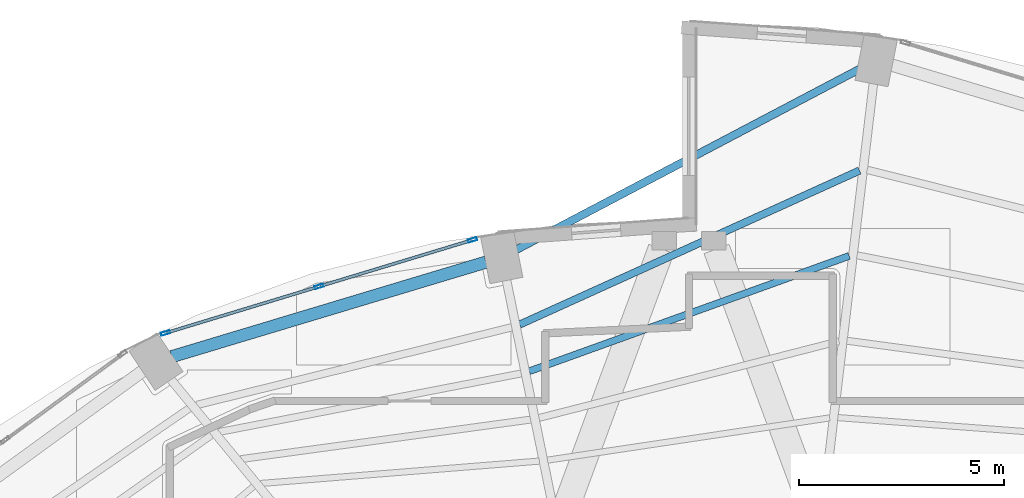
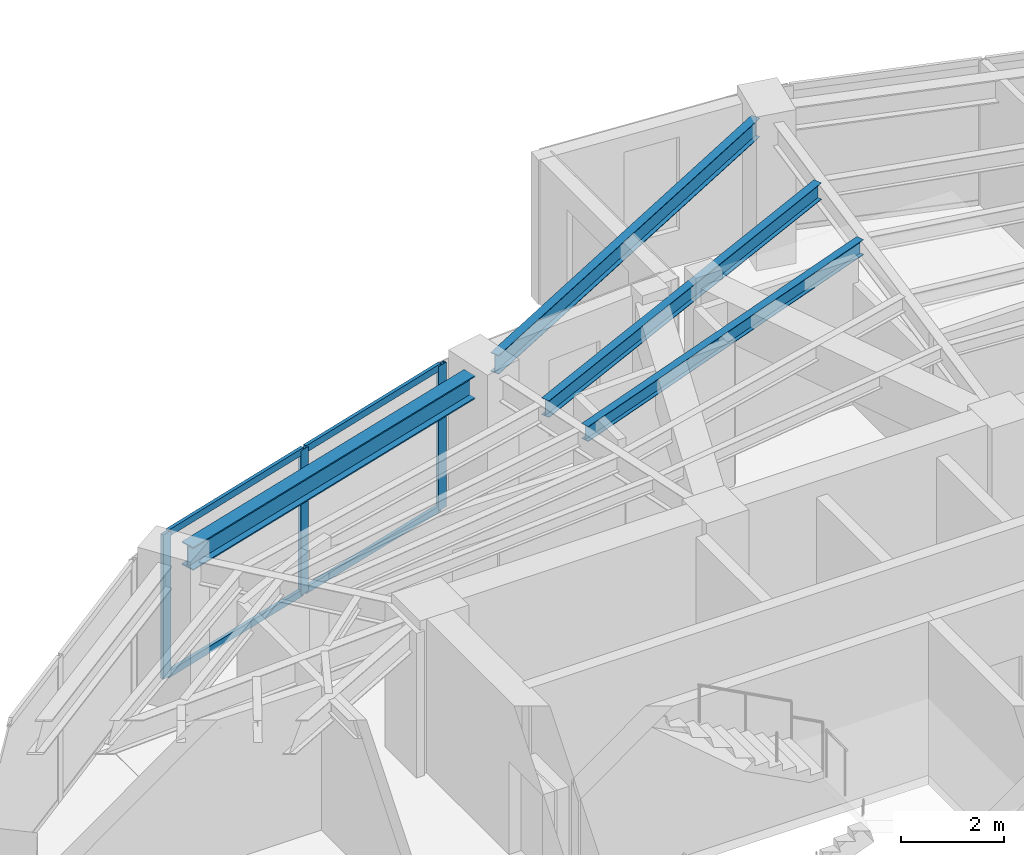
# One storey, part 12 of 20: 7 members, 4 beams, 1 element without a shape of its own.
"""IFC4 building model written with IfcOpenShell, lengths in metres."""

from ifc_helpers import new_model, si_unit, direction, frame, origin, origin_2d, place, context, subcontext, project, spatial, hollow_rectangle, i_section, extrude, material, layer, layer_set, material_profile, profile_set, type_object, element, aggregate, save


model = new_model("IFC4")

# Units and contexts
model_context = context("Model", 3, precision=1e-05, world=origin(), true_north=direction((0.0, 1.0)))
body_context = subcontext(model_context, "Body", "Model", "MODEL_VIEW")
ifc_project = project(units=[si_unit("LENGTHUNIT", "METRE"), si_unit("AREAUNIT", "SQUARE_METRE"), si_unit("VOLUMEUNIT", "CUBIC_METRE"), si_unit("PLANEANGLEUNIT", "RADIAN"), si_unit("MASSUNIT", "GRAM", prefix="KILO")], contexts=[model_context])

# Site, building, storey
site_placement = place(None, origin())
site = spatial("IfcSite", under=ifc_project, at=site_placement, CompositionType="ELEMENT")
building_placement = place(site_placement, origin())
building = spatial("IfcBuilding", under=site, at=building_placement, Name="Lazwardi Medical Tower", CompositionType="ELEMENT")
storey_placement = place(building_placement, frame((0.0, 0.0, 149.23193359375)))
storey = spatial("IfcBuildingStorey", under=building, at=storey_placement, Name="L38", CompositionType="ELEMENT", Elevation=149.23193359375)

# Beams
ifc_material_1 = material(Name="Steel S355", Category="steel")
ifc_material_profile_1 = material_profile(ifc_material_1, i_section(OverallWidth=0.300048828125, OverallDepth=0.550048828125, WebThickness=0.014892578125, FlangeThickness=0.029052734375, at=origin_2d()), Name="HEB 550")
ifc_profile_set_1 = profile_set([ifc_material_profile_1], Name="Steel S355")
beam_type_1 = type_object("IfcBeamType", Name="BM-RB-Z3", PredefinedType="BEAM", material=ifc_profile_set_1)
beam_1_placement = place(storey_placement, frame((31.056884765625, 42.133544921875, 3.153076171875), z_axis=(-0.957616873483, -0.288045002771, 0.0), x_axis=(0.288045002771, -0.957616873483, 0.0)))
element("IfcBeam", 1, at=beam_1_placement, inside=storey, type_object=beam_type_1, Name="Ring beam RB-04 B09 L38", PredefinedType="BEAM", context=body_context, shape_type="SweptSolid", body=[
    extrude(i_section(OverallWidth=0.300048828125, OverallDepth=0.550048828125, WebThickness=0.014892578125, FlangeThickness=0.029052734375, at=origin_2d()), origin(), (0.0, 0.0, 1.0), 7.99951171875),
])
ifc_material_profile_2 = material_profile(ifc_material_1, i_section(OverallWidth=0.179931640625, OverallDepth=0.39990234375, WebThickness=0.008544921875, FlangeThickness=0.013427734375, at=origin_2d()), Name="IPE 400")
ifc_profile_set_2 = profile_set([ifc_material_profile_2], Name="Steel S355")
beam_type_2 = type_object("IfcBeamType", Name="BM-SJ-01", PredefinedType="JOIST", material=ifc_profile_set_2)
beam_2_placement = place(storey_placement, frame((40.155029296875, 44.3642578125, 3.22802734375), z_axis=(-0.910834000674, -0.412772846995, 0.0), x_axis=(0.412772846995, -0.910834000674, 0.0)))
element("IfcBeam", 2, at=beam_2_placement, inside=storey, type_object=beam_type_2, Name="Secondary joist SJ-01 R1 B08 L38", PredefinedType="JOIST", context=body_context, shape_type="SweptSolid", body=[
    extrude(i_section(OverallWidth=0.179931640625, OverallDepth=0.39990234375, WebThickness=0.008544921875, FlangeThickness=0.013427734375, at=origin_2d()), origin(), (0.0, 0.0, 1.0), 9.09130859375),
])
ifc_material_profile_3 = material_profile(ifc_material_1, i_section(OverallWidth=0.169921875, OverallDepth=0.360107421875, WebThickness=0.008056640625, FlangeThickness=0.0126953125, at=origin_2d()), Name="IPE 360")
ifc_profile_set_3 = profile_set([ifc_material_profile_3], Name="Steel S355")
beam_type_3 = type_object("IfcBeamType", Name="BM-SJ-02", PredefinedType="JOIST", material=ifc_profile_set_3)
beam_3_placement = place(storey_placement, frame((39.904052734375, 42.284423828125, 3.248046875), z_axis=(-0.940747993319, -0.339106492221, 0.0), x_axis=(0.339106492221, -0.940747993319, 0.0)))
element("IfcBeam", 3, at=beam_3_placement, inside=storey, type_object=beam_type_3, Name="Secondary joist SJ-02 R2 B08 L38", PredefinedType="JOIST", context=body_context, shape_type="SweptSolid", body=[
    extrude(i_section(OverallWidth=0.169921875, OverallDepth=0.360107421875, WebThickness=0.008056640625, FlangeThickness=0.0126953125, at=origin_2d()), origin(), (0.0, 0.0, 1.0), 8.28662109375),
])
ifc_material_profile_4 = material_profile(ifc_material_1, i_section(OverallWidth=0.18994140625, OverallDepth=0.449951171875, WebThickness=0.009521484375, FlangeThickness=0.0146484375, at=origin_2d()), Name="IPE 450")
ifc_profile_set_4 = profile_set([ifc_material_profile_4], Name="Steel S355")
beam_type_4 = type_object("IfcBeamType", Name="BM-SP-01", PredefinedType="SPANDREL", material=ifc_profile_set_4)
beam_4_placement = place(storey_placement, frame((40.206298828125, 46.862548828125, 3.203125), z_axis=(-0.884926578414, -0.465730556026, 0.0), x_axis=(0.465730556026, -0.884926578414, 0.0)))
element("IfcBeam", 4, at=beam_4_placement, inside=storey, type_object=beam_type_4, Name="Spandrel beam SP-01 B08 L38", PredefinedType="SPANDREL", context=body_context, shape_type="SweptSolid", body=[
    extrude(i_section(OverallWidth=0.18994140625, OverallDepth=0.449951171875, WebThickness=0.009521484375, FlangeThickness=0.0146484375, at=origin_2d()), origin(), (0.0, 0.0, 1.0), 9.506591796875),
])

# Curtain wall, members
ifc_material_2 = material(Name="Anodised bronze aluminium and solar control glazing", Category="aluminium")
ifc_layer = layer(ifc_material_2, 0.195068359375)
ifc_layer_set = layer_set([ifc_layer], Name="Anodised bronze aluminium and solar control glazing")
curtain_wall_type = type_object("IfcCurtainWallType", Name="CW-SYS-03", PredefinedType="NOTDEFINED", material=ifc_layer_set)
curtain_wall_placement = place(storey_placement, origin())
curtain_wall = element("IfcCurtainWall", 5, at=curtain_wall_placement, inside=storey, type_object=curtain_wall_type, Name="L38 Unitised bronze curtain wall CW-03", PredefinedType="NOTDEFINED")
ifc_material_3 = material(Name="Anodised bronze aluminium", Category="aluminium")
ifc_material_profile_5 = material_profile(ifc_material_3, hollow_rectangle(XDim=0.074951171875, YDim=0.219970703125, WallThickness=0.00390625, at=origin_2d()), Name="ALU-MULLION 220x75x4")
ifc_profile_set_5 = profile_set([ifc_material_profile_5], Name="Anodised bronze aluminium")
member_type_1 = type_object("IfcMemberType", Name="CW-MUL-01", PredefinedType="MULLION", material=ifc_profile_set_5)
member_1_placement = place(storey_placement, frame((30.72802734375, 42.674072265625, 0.0), z_axis=(0.0, 0.0, 1.0), x_axis=(0.290280785441, -0.956941516292, 0.0)))
member_1 = element("IfcMember", 6, at=member_1_placement, type_object=member_type_1, Name="CW-03 mullion 1", PredefinedType="MULLION", context=body_context, shape_type="SweptSolid", body=[
    extrude(hollow_rectangle(XDim=0.074951171875, YDim=0.219970703125, WallThickness=0.00390625, at=origin_2d()), origin(), (0.0, 0.0, 1.0), 3.427978515625),
])
member_2_placement = place(storey_placement, frame((26.98486328125, 41.538818359375, 0.0), z_axis=(0.0, 0.0, 1.0), x_axis=(0.290280785441, -0.956941516292, 0.0)))
member_2 = element("IfcMember", 7, at=member_2_placement, type_object=member_type_1, Name="CW-03 mullion 2", PredefinedType="MULLION", context=body_context, shape_type="SweptSolid", body=[
    extrude(hollow_rectangle(XDim=0.074951171875, YDim=0.219970703125, WallThickness=0.00390625, at=origin_2d()), origin(), (0.0, 0.0, 1.0), 3.427978515625),
])
member_3_placement = place(storey_placement, frame((23.241943359375, 40.4033203125, 0.0), z_axis=(0.0, 0.0, 1.0), x_axis=(0.290280785441, -0.956941516292, 0.0)))
member_3 = element("IfcMember", 8, at=member_3_placement, type_object=member_type_1, Name="CW-03 mullion 3", PredefinedType="MULLION", context=body_context, shape_type="SweptSolid", body=[
    extrude(hollow_rectangle(XDim=0.074951171875, YDim=0.219970703125, WallThickness=0.00390625, at=origin_2d()), origin(), (0.0, 0.0, 1.0), 3.427978515625),
])
ifc_material_profile_6 = material_profile(ifc_material_3, hollow_rectangle(XDim=0.074951171875, YDim=0.159912109375, WallThickness=0.00390625, at=origin_2d()), Name="ALU-TRANSOM 160x75x4")
ifc_profile_set_6 = profile_set([ifc_material_profile_6], Name="Anodised bronze aluminium")
member_type_2 = type_object("IfcMemberType", Name="CW-TRN-01", PredefinedType="USERDEFINED", material=ifc_profile_set_6)
member_4_placement = place(storey_placement, frame((30.692138671875, 42.663330078125, 0.03759765625), z_axis=(-0.956935517424, -0.290300560612, 0.0), x_axis=(0.290300560612, -0.956935517424, 0.0)))
member_4 = element("IfcMember", 9, at=member_4_placement, type_object=member_type_2, Name="CW-03 transom 1.1", ObjectType="TRANSOM", PredefinedType="USERDEFINED", context=body_context, shape_type="SweptSolid", body=[
    extrude(hollow_rectangle(XDim=0.074951171875, YDim=0.159912109375, WallThickness=0.00390625, at=origin_2d()), origin(), (0.0, 0.0, 1.0), 3.836669921875),
])
member_5_placement = place(storey_placement, frame((30.692138671875, 42.663330078125, 3.390625), z_axis=(-0.956935517424, -0.290300560612, 0.0), x_axis=(0.290300560612, -0.956935517424, 0.0)))
member_5 = element("IfcMember", 10, at=member_5_placement, type_object=member_type_2, Name="CW-03 transom 1.2", ObjectType="TRANSOM", PredefinedType="USERDEFINED", context=body_context, shape_type="SweptSolid", body=[
    extrude(hollow_rectangle(XDim=0.074951171875, YDim=0.159912109375, WallThickness=0.00390625, at=origin_2d()), origin(), (0.0, 0.0, 1.0), 3.836669921875),
])
member_6_placement = place(storey_placement, frame((26.948974609375, 41.52783203125, 0.03759765625), z_axis=(-0.956930154175, -0.290318239233, 0.0), x_axis=(0.290318239233, -0.956930154175, 0.0)))
member_6 = element("IfcMember", 11, at=member_6_placement, type_object=member_type_2, Name="CW-03 transom 2.1", ObjectType="TRANSOM", PredefinedType="USERDEFINED", context=body_context, shape_type="SweptSolid", body=[
    extrude(hollow_rectangle(XDim=0.074951171875, YDim=0.159912109375, WallThickness=0.00390625, at=origin_2d()), origin(), (0.0, 0.0, 1.0), 3.83642578125),
])
member_7_placement = place(storey_placement, frame((26.948974609375, 41.52783203125, 3.390625), z_axis=(-0.956930154175, -0.290318239233, 0.0), x_axis=(0.290318239233, -0.956930154175, 0.0)))
member_7 = element("IfcMember", 12, at=member_7_placement, type_object=member_type_2, Name="CW-03 transom 2.2", ObjectType="TRANSOM", PredefinedType="USERDEFINED", context=body_context, shape_type="SweptSolid", body=[
    extrude(hollow_rectangle(XDim=0.074951171875, YDim=0.159912109375, WallThickness=0.00390625, at=origin_2d()), origin(), (0.0, 0.0, 1.0), 3.83642578125),
])
aggregate(curtain_wall, [member_1, member_2, member_3, member_4, member_5, member_6, member_7])

save(model, "model.ifc")
